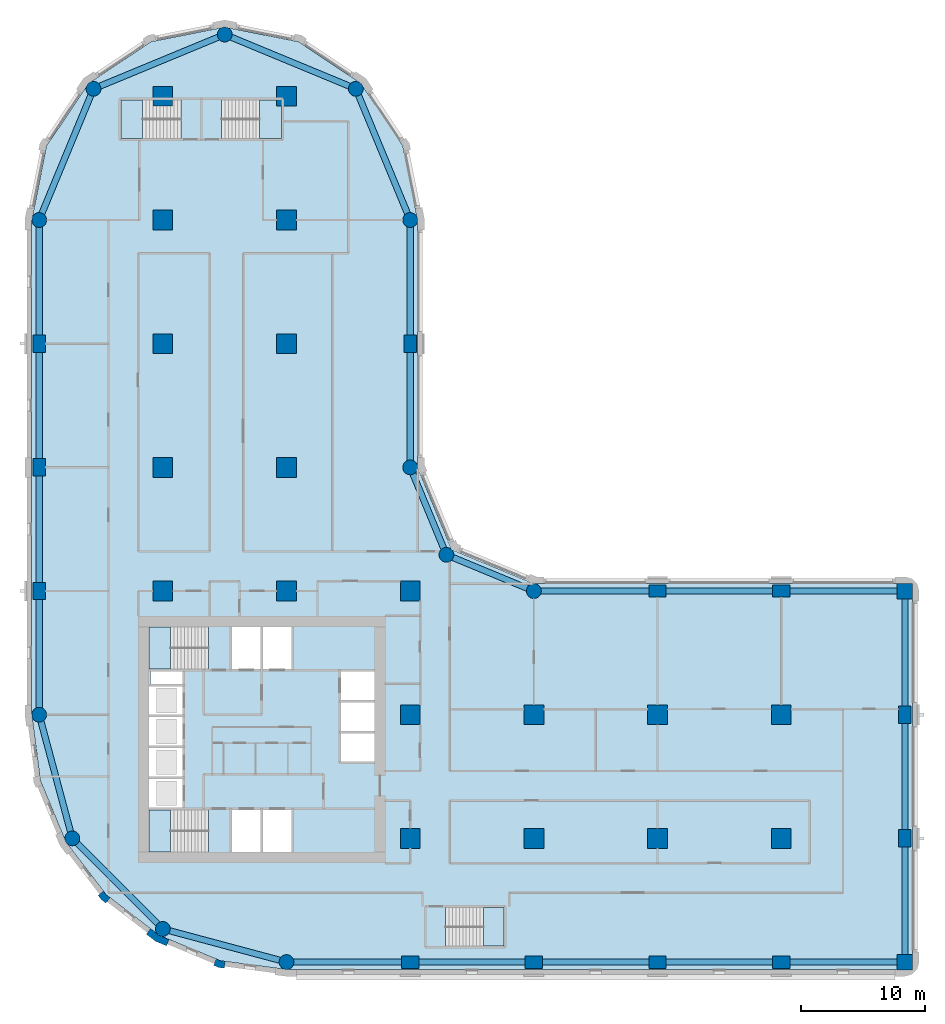
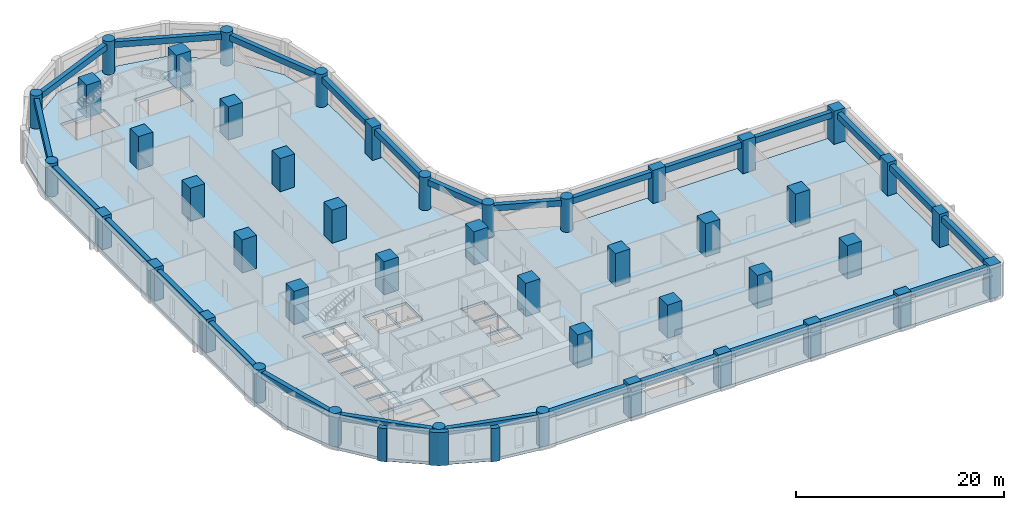
# One storey, part 1 of 10: 45 columns, 26 beams, 6 slabs, 3 walls, 5 elements without a shape of their own.
"""IFC4 building model written with IfcOpenShell, lengths in metres."""

from ifc_helpers import new_model, si_unit, direction, frame, origin, origin_2d, place, context, subcontext, project, spatial, polyline, rectangle, circle, outline, extrude, material, layer, layer_set, material_profile, profile_set, type_object, element, aggregate, save


model = new_model("IFC4")

# Units and contexts
model_context = context("Model", 3, precision=1e-05, world=origin(), true_north=direction((0.0, 1.0)))
body_context = subcontext(model_context, "Body", "Model", "MODEL_VIEW")
ifc_project = project(units=[si_unit("LENGTHUNIT", "METRE"), si_unit("AREAUNIT", "SQUARE_METRE"), si_unit("VOLUMEUNIT", "CUBIC_METRE"), si_unit("PLANEANGLEUNIT", "RADIAN"), si_unit("MASSUNIT", "GRAM", prefix="KILO")], contexts=[model_context])

# Site, building, storey
site_placement = place(None, origin())
site = spatial("IfcSite", under=ifc_project, at=site_placement, CompositionType="ELEMENT")
building_placement = place(site_placement, origin())
building = spatial("IfcBuilding", under=site, at=building_placement, Name="Qaws Garden Tower", CompositionType="ELEMENT")
storey_placement = place(building_placement, frame((0.0, 0.0, 74.39990234375)))
storey = spatial("IfcBuildingStorey", under=building, at=storey_placement, Name="L18", CompositionType="ELEMENT", Elevation=74.39990234375)

# Columns
ifc_material_1 = material(Name="Concrete C80", Category="concrete")
ifc_material_profile_1 = material_profile(ifc_material_1, rectangle(XDim=1.25, YDim=1.25, at=origin_2d()), Name="RC 1250x1250")
ifc_profile_set_1 = profile_set([ifc_material_profile_1], Name="Concrete C80")
column_type_1 = type_object("IfcColumnType", Name="Column RC 1250x1250 C80", PredefinedType="COLUMN", material=ifc_profile_set_1)
for number, where, z_axis, x_axis, name in (
    (1, (70.0, 0.0, 0.0), (0.0, 0.0, 1.0), (1.0, 0.0, 0.0), "Column L18-006"),
    (2, (70.0, 30.0, 0.0), (0.0, 0.0, 1.0), (1.0, 0.0, 0.0), "Column L18-009"),
):
    element("IfcColumn", number, at=place(storey_placement, frame(where, z_axis=z_axis, x_axis=x_axis)), inside=storey, type_object=column_type_1, Name=name, PredefinedType="COLUMN", context=body_context, shape_type="SweptSolid", body=[
        extrude(rectangle(XDim=1.25, YDim=1.25, at=origin_2d()), origin(), (0.0, 0.0, 1.0), 3.900146484375),
    ])
ifc_material_2 = material(Name="Concrete C80", Category="concrete")
ifc_material_profile_2 = material_profile(ifc_material_2, rectangle(XDim=1.39990234375, YDim=1.0, at=origin_2d()), Name="RC 1400x1000")
ifc_profile_set_2 = profile_set([ifc_material_profile_2], Name="Concrete C80")
column_type_2 = type_object("IfcColumnType", Name="Column RC 1400x1000 C80", PredefinedType="COLUMN", material=ifc_profile_set_2)
for number, where, z_axis, x_axis, name in (
    (3, (30.0, 0.0, 0.0), (0.0, 0.0, 1.0), (1.0, 0.0, 0.0), "Column L18-002"),
    (4, (40.0, 0.0, 0.0), (0.0, 0.0, 1.0), (1.0, 0.0, 0.0), "Column L18-003"),
    (5, (50.0, 0.0, 0.0), (0.0, 0.0, 1.0), (1.0, 0.0, 0.0), "Column L18-004"),
    (6, (60.0, 0.0, 0.0), (0.0, 0.0, 1.0), (1.0, 0.0, 0.0), "Column L18-005"),
    (7, (70.0, 10.0, 0.0), (0.0, 0.0, 1.0), (0.0, 1.0, 0.0), "Column L18-007"),
    (8, (70.0, 20.0, 0.0), (0.0, 0.0, 1.0), (0.0, 1.0, 0.0), "Column L18-008"),
    (9, (60.0, 30.0, 0.0), (0.0, 0.0, 1.0), (1.0, 0.0, 0.0), "Column L18-010"),
    (10, (50.0, 30.0, 0.0), (0.0, 0.0, 1.0), (1.0, 0.0, 0.0), "Column L18-011"),
    (11, (30.0, 50.0, 0.0), (0.0, 0.0, 1.0), (0.0, 1.0, 0.0), "Column L18-015"),
    (12, (0.0, 50.0, 0.0), (0.0, 0.0, 1.0), (0.0, 1.0, 0.0), "Column L18-021"),
    (13, (0.0, 40.0, 0.0), (0.0, 0.0, 1.0), (0.0, 1.0, 0.0), "Column L18-022"),
    (14, (0.0, 30.0, 0.0), (0.0, 0.0, 1.0), (0.0, 1.0, 0.0), "Column L18-023"),
):
    element("IfcColumn", number, at=place(storey_placement, frame(where, z_axis=z_axis, x_axis=x_axis)), inside=storey, type_object=column_type_2, Name=name, PredefinedType="COLUMN", context=body_context, shape_type="SweptSolid", body=[
        extrude(rectangle(XDim=1.39990234375, YDim=1.0, at=origin_2d()), origin(), (0.0, 0.0, 1.0), 3.900146484375),
    ])
ifc_material_3 = material(Name="Concrete C80", Category="concrete")
ifc_material_profile_3 = material_profile(ifc_material_3, rectangle(XDim=1.60009765625, YDim=1.60009765625, at=origin_2d()), Name="RC 1600x1600")
ifc_profile_set_3 = profile_set([ifc_material_profile_3], Name="Concrete C80")
column_type_3 = type_object("IfcColumnType", Name="Column RC 1600x1600 C80", PredefinedType="COLUMN", material=ifc_profile_set_3)
for number, where, z_axis, x_axis, name in (
    (15, (10.0, 30.0, 0.0), (0.0, 0.0, 1.0), (1.0, 0.0, 0.0), "Column L18-027"),
    (16, (10.0, 40.0, 0.0), (0.0, 0.0, 1.0), (1.0, 0.0, 0.0), "Column L18-028"),
    (17, (10.0, 50.0, 0.0), (0.0, 0.0, 1.0), (1.0, 0.0, 0.0), "Column L18-029"),
    (18, (10.0, 60.0, 0.0), (0.0, 0.0, 1.0), (1.0, 0.0, 0.0), "Column L18-030"),
    (19, (10.0, 70.0, 0.0), (0.0, 0.0, 1.0), (1.0, 0.0, 0.0), "Column L18-031"),
    (20, (20.0, 30.0, 0.0), (0.0, 0.0, 1.0), (1.0, 0.0, 0.0), "Column L18-032"),
    (21, (20.0, 40.0, 0.0), (0.0, 0.0, 1.0), (1.0, 0.0, 0.0), "Column L18-033"),
    (22, (20.0, 50.0, 0.0), (0.0, 0.0, 1.0), (1.0, 0.0, 0.0), "Column L18-034"),
    (23, (20.0, 60.0, 0.0), (0.0, 0.0, 1.0), (1.0, 0.0, 0.0), "Column L18-035"),
    (24, (20.0, 70.0, 0.0), (0.0, 0.0, 1.0), (1.0, 0.0, 0.0), "Column L18-036"),
    (25, (30.0, 10.0, 0.0), (0.0, 0.0, 1.0), (1.0, 0.0, 0.0), "Column L18-037"),
    (26, (30.0, 20.0, 0.0), (0.0, 0.0, 1.0), (1.0, 0.0, 0.0), "Column L18-038"),
    (27, (30.0, 30.0, 0.0), (0.0, 0.0, 1.0), (1.0, 0.0, 0.0), "Column L18-039"),
    (28, (40.0, 10.0, 0.0), (0.0, 0.0, 1.0), (1.0, 0.0, 0.0), "Column L18-040"),
    (29, (40.0, 20.0, 0.0), (0.0, 0.0, 1.0), (1.0, 0.0, 0.0), "Column L18-041"),
    (30, (50.0, 10.0, 0.0), (0.0, 0.0, 1.0), (1.0, 0.0, 0.0), "Column L18-042"),
    (31, (50.0, 20.0, 0.0), (0.0, 0.0, 1.0), (1.0, 0.0, 0.0), "Column L18-043"),
    (32, (60.0, 10.0, 0.0), (0.0, 0.0, 1.0), (1.0, 0.0, 0.0), "Column L18-044"),
    (33, (60.0, 20.0, 0.0), (0.0, 0.0, 1.0), (1.0, 0.0, 0.0), "Column L18-045"),
):
    element("IfcColumn", number, at=place(storey_placement, frame(where, z_axis=z_axis, x_axis=x_axis)), inside=storey, type_object=column_type_3, Name=name, PredefinedType="COLUMN", context=body_context, shape_type="SweptSolid", body=[
        extrude(rectangle(XDim=1.60009765625, YDim=1.60009765625, at=origin_2d()), origin(), (0.0, 0.0, 1.0), 3.900146484375),
    ])
ifc_material_4 = material(Name="Concrete C80", Category="concrete")
ifc_material_profile_4 = material_profile(ifc_material_4, circle(Radius=0.60009765625, at=origin_2d()), Name="RC D1200")
ifc_profile_set_4 = profile_set([ifc_material_profile_4], Name="Concrete C80")
column_type_4 = type_object("IfcColumnType", Name="Column RC D1200 C80", PredefinedType="COLUMN", material=ifc_profile_set_4)
for number, where, z_axis, x_axis, name in (
    (34, (20.0, 0.0, 0.0), (0.0, 0.0, 1.0), (1.0, 0.0, 0.0), "Column L18-001"),
    (35, (40.0, 30.0, 0.0), (0.0, 0.0, 1.0), (1.0, 0.0, 0.0), "Column L18-012"),
    (36, (32.928955078125, 32.928955078125, 0.0), (0.0, 0.0, 1.0), (1.0, 0.0, 0.0), "Column L18-013"),
    (37, (30.0, 40.0, 0.0), (0.0, 0.0, 1.0), (1.0, 0.0, 0.0), "Column L18-014"),
    (38, (30.0, 60.0, 0.0), (0.0, 0.0, 1.0), (1.0, 0.0, 0.0), "Column L18-016"),
    (39, (25.606689453125, 70.606689453125, 0.0), (0.0, 0.0, 1.0), (1.0, 0.0, 0.0), "Column L18-017"),
    (40, (15.0, 75.0, 0.0), (0.0, 0.0, 1.0), (1.0, 0.0, 0.0), "Column L18-018"),
    (41, (4.393310546875, 70.606689453125, 0.0), (0.0, 0.0, 1.0), (1.0, 0.0, 0.0), "Column L18-019"),
    (42, (0.0, 60.0, 0.0), (0.0, 0.0, 1.0), (1.0, 0.0, 0.0), "Column L18-020"),
    (43, (0.0, 20.0, 0.0), (0.0, 0.0, 1.0), (1.0, 0.0, 0.0), "Column L18-024"),
    (44, (2.679443359375, 10.0, 0.0), (0.0, 0.0, 1.0), (1.0, 0.0, 0.0), "Column L18-025"),
    (45, (10.0, 2.679443359375, 0.0), (0.0, 0.0, 1.0), (1.0, 0.0, 0.0), "Column L18-026"),
):
    element("IfcColumn", number, at=place(storey_placement, frame(where, z_axis=z_axis, x_axis=x_axis)), inside=storey, type_object=column_type_4, Name=name, PredefinedType="COLUMN", context=body_context, shape_type="SweptSolid", body=[
        extrude(circle(Radius=0.60009765625, at=origin_2d()), origin(), (0.0, 0.0, 1.0), 3.900146484375),
    ])

# Beams
ifc_material_5 = material(Name="Concrete C45", Category="concrete")
ifc_material_profile_5 = material_profile(ifc_material_5, rectangle(XDim=0.5, YDim=0.699951171875, at=origin_2d()), Name="RC 500x700")
ifc_profile_set_5 = profile_set([ifc_material_profile_5], Name="Concrete C45")
beam_type = type_object("IfcBeamType", Name="Spandrel beam RC 500x700 C45", PredefinedType="SPANDREL", material=ifc_profile_set_5)
for number, where, z_axis, x_axis, name in (
    (46, (20.0, 0.0, 3.22998046875), (1.0, 0.0, 0.0), (0.0, 1.0, 0.0), "Spandrel beam L18-001"),
    (47, (30.0, 0.0, 3.22998046875), (1.0, 0.0, 0.0), (0.0, 1.0, 0.0), "Spandrel beam L18-002"),
    (48, (40.0, 0.0, 3.22998046875), (1.0, 0.0, 0.0), (0.0, 1.0, 0.0), "Spandrel beam L18-003"),
    (49, (50.0, 0.0, 3.22998046875), (1.0, 0.0, 0.0), (0.0, 1.0, 0.0), "Spandrel beam L18-004"),
    (50, (60.0, 0.0, 3.22998046875), (1.0, 0.0, 0.0), (0.0, 1.0, 0.0), "Spandrel beam L18-005"),
    (51, (70.0, 0.0, 3.22998046875), (0.0, 1.0, 0.0), (-1.0, 0.0, 0.0), "Spandrel beam L18-006"),
    (52, (70.0, 10.0, 3.22998046875), (0.0, 1.0, 0.0), (-1.0, 0.0, 0.0), "Spandrel beam L18-007"),
    (53, (70.0, 20.0, 3.22998046875), (0.0, 1.0, 0.0), (-1.0, 0.0, 0.0), "Spandrel beam L18-008"),
    (54, (70.0, 30.0, 3.22998046875), (-1.0, 0.0, 0.0), (0.0, -1.0, 0.0), "Spandrel beam L18-009"),
    (55, (60.0, 30.0, 3.22998046875), (-1.0, 0.0, 0.0), (0.0, -1.0, 0.0), "Spandrel beam L18-010"),
    (56, (50.0, 30.0, 3.22998046875), (-1.0, 0.0, 0.0), (0.0, -1.0, 0.0), "Spandrel beam L18-011"),
):
    element("IfcBeam", number, at=place(storey_placement, frame(where, z_axis=z_axis, x_axis=x_axis)), inside=storey, type_object=beam_type, Name=name, PredefinedType="SPANDREL", context=body_context, shape_type="SweptSolid", body=[
        extrude(rectangle(XDim=0.5, YDim=0.699951171875, at=origin_2d()), origin(), (0.0, 0.0, 1.0), 10.0),
    ])
for number, where, z_axis, x_axis, name in (
    (57, (40.0, 30.0, 3.22998046875), (-0.923878037141, 0.382687042488, 0.0), (-0.382687042488, -0.923878037141, 0.0), "Spandrel beam L18-012"),
    (58, (32.928955078125, 32.928955078125, 3.22998046875), (-0.382687042488, 0.923878037141, 0.0), (-0.923878037141, -0.382687042488, 0.0), "Spandrel beam L18-013"),
):
    element("IfcBeam", number, at=place(storey_placement, frame(where, z_axis=z_axis, x_axis=x_axis)), inside=storey, type_object=beam_type, Name=name, PredefinedType="SPANDREL", context=body_context, shape_type="SweptSolid", body=[
        extrude(rectangle(XDim=0.5, YDim=0.699951171875, at=origin_2d()), origin(), (0.0, 0.0, 1.0), 7.653564453125),
    ])
for number, where, z_axis, x_axis, name in (
    (59, (30.0, 40.0, 3.22998046875), (0.0, 1.0, 0.0), (-1.0, 0.0, 0.0), "Spandrel beam L18-014"),
    (60, (30.0, 50.0, 3.22998046875), (0.0, 1.0, 0.0), (-1.0, 0.0, 0.0), "Spandrel beam L18-015"),
):
    element("IfcBeam", number, at=place(storey_placement, frame(where, z_axis=z_axis, x_axis=x_axis)), inside=storey, type_object=beam_type, Name=name, PredefinedType="SPANDREL", context=body_context, shape_type="SweptSolid", body=[
        extrude(rectangle(XDim=0.5, YDim=0.699951171875, at=origin_2d()), origin(), (0.0, 0.0, 1.0), 10.0),
    ])
for number, where, z_axis, x_axis, name in (
    (61, (30.0, 60.0, 3.22998046875), (-0.382674207535, 0.923883353507, 0.0), (-0.923883353507, -0.382674207535, 0.0), "Spandrel beam L18-016"),
    (62, (25.606689453125, 70.606689453125, 3.22998046875), (-0.923883353507, 0.382674207535, 0.0), (-0.382674207535, -0.923883353507, 0.0), "Spandrel beam L18-017"),
    (63, (15.0, 75.0, 3.22998046875), (-0.923883353507, -0.382674207535, 0.0), (0.382674207535, -0.923883353507, 0.0), "Spandrel beam L18-018"),
    (64, (4.393310546875, 70.606689453125, 3.22998046875), (-0.382674207535, -0.923883353507, 0.0), (0.923883353507, -0.382674207535, 0.0), "Spandrel beam L18-019"),
):
    element("IfcBeam", number, at=place(storey_placement, frame(where, z_axis=z_axis, x_axis=x_axis)), inside=storey, type_object=beam_type, Name=name, PredefinedType="SPANDREL", context=body_context, shape_type="SweptSolid", body=[
        extrude(rectangle(XDim=0.5, YDim=0.699951171875, at=origin_2d()), origin(), (0.0, 0.0, 1.0), 11.48046875),
    ])
for number, where, z_axis, x_axis, name in (
    (65, (0.0, 60.0, 3.22998046875), (0.0, -1.0, 0.0), (1.0, 0.0, 0.0), "Spandrel beam L18-020"),
    (66, (0.0, 50.0, 3.22998046875), (0.0, -1.0, 0.0), (1.0, 0.0, 0.0), "Spandrel beam L18-021"),
    (67, (0.0, 40.0, 3.22998046875), (0.0, -1.0, 0.0), (1.0, 0.0, 0.0), "Spandrel beam L18-022"),
    (68, (0.0, 30.0, 3.22998046875), (0.0, -1.0, 0.0), (1.0, 0.0, 0.0), "Spandrel beam L18-023"),
):
    element("IfcBeam", number, at=place(storey_placement, frame(where, z_axis=z_axis, x_axis=x_axis)), inside=storey, type_object=beam_type, Name=name, PredefinedType="SPANDREL", context=body_context, shape_type="SweptSolid", body=[
        extrude(rectangle(XDim=0.5, YDim=0.699951171875, at=origin_2d()), origin(), (0.0, 0.0, 1.0), 10.0),
    ])
for number, where, z_axis, x_axis, name in (
    (69, (0.0, 20.0, 3.22998046875), (0.25881466832, -0.965926999034, 0.0), (0.965926999034, 0.25881466832, 0.0), "Spandrel beam L18-024"),
    (70, (2.679443359375, 10.0, 3.22998046875), (0.707106781187, -0.707106781187, 0.0), (0.707106781187, 0.707106781187, 0.0), "Spandrel beam L18-025"),
    (71, (10.0, 2.679443359375, 3.22998046875), (0.965926999034, -0.25881466832, 0.0), (0.25881466832, 0.965926999034, 0.0), "Spandrel beam L18-026"),
):
    element("IfcBeam", number, at=place(storey_placement, frame(where, z_axis=z_axis, x_axis=x_axis)), inside=storey, type_object=beam_type, Name=name, PredefinedType="SPANDREL", context=body_context, shape_type="SweptSolid", body=[
        extrude(rectangle(XDim=0.5, YDim=0.699951171875, at=origin_2d()), origin(), (0.0, 0.0, 1.0), 10.352783203125),
    ])

# Slab
ifc_material_6 = material(Name="Concrete C40", Category="concrete")
ifc_layer_1 = layer(ifc_material_6, 0.320068359375)
ifc_layer_set_1 = layer_set([ifc_layer_1], Name="Concrete C40")
slab_type_1 = type_object("IfcSlabType", Name="Floor slab 320 C40", PredefinedType="FLOOR", material=ifc_layer_set_1)
slab_1_placement = place(storey_placement, frame((0.0, 0.0, -0.31982421875)))
element("IfcSlab", 72, at=slab_1_placement, inside=storey, type_object=slab_type_1, Name="Floor slab L18", PredefinedType="FLOOR", context=body_context, shape_type="SweptSolid", body=[
    extrude(outline(polyline([(0.101806640625, 14.668212890625), (-0.60009765625, 20.0), (-0.60009765625, 30.60009765625), (-0.60009765625, 60.0), (-0.60009765625, 60.0), (0.58740234375, 65.969970703125), (3.968994140625, 71.031005859375), (9.030029296875, 74.41259765625), (15.0, 75.60009765625), (20.969970703125, 74.41259765625), (26.031005859375, 71.031005859375), (29.41259765625, 65.969970703125), (30.60009765625, 60.0), (30.60009765625, 40.0), (33.353271484375, 33.353271484375), (40.0, 30.60009765625), (70.0, 30.60009765625), (70.42431640625, 30.42431640625), (70.60009765625, 30.0), (70.60009765625, 0.0), (70.42431640625, -0.42431640625), (70.0, -0.60009765625), (30.60009765625, -0.60009765625), (20.0, -0.60009765625), (14.668212890625, 0.101806640625), (9.699951171875, 2.159912109375), (5.43359375, 5.43359375), (2.159912109375, 9.699951171875), (0.101806640625, 14.668212890625)]), holes=[polyline([(13.699462890625, 12.300048828125), (8.89990234375, 12.300048828125), (8.89990234375, 8.89990234375), (13.699462890625, 8.89990234375), (13.699462890625, 12.300048828125)]), polyline([(17.89990234375, 12.300048828125), (15.60009765625, 12.300048828125), (15.60009765625, 8.89990234375), (17.89990234375, 8.89990234375), (17.89990234375, 12.300048828125)]), polyline([(11.60009765625, 14.800048828125), (8.89990234375, 14.800048828125), (8.89990234375, 12.5), (11.60009765625, 12.5), (11.60009765625, 14.800048828125)]), polyline([(11.60009765625, 17.300048828125), (8.89990234375, 17.300048828125), (8.89990234375, 15.0), (11.60009765625, 15.0), (11.60009765625, 17.300048828125)]), polyline([(11.60009765625, 19.800048828125), (8.89990234375, 19.800048828125), (8.89990234375, 17.5), (11.60009765625, 17.5), (11.60009765625, 19.800048828125)]), polyline([(11.60009765625, 22.300048828125), (8.89990234375, 22.300048828125), (8.89990234375, 20.0), (11.60009765625, 20.0), (11.60009765625, 22.300048828125)]), polyline([(11.60009765625, 23.5), (9.0, 23.5), (9.0, 22.5), (11.60009765625, 22.5), (11.60009765625, 23.5)]), polyline([(13.699462890625, 27.10009765625), (8.89990234375, 27.10009765625), (8.89990234375, 23.699951171875), (13.699462890625, 23.699951171875), (13.699462890625, 27.10009765625)]), polyline([(11.449462890625, 69.699951171875), (6.60009765625, 69.699951171875), (6.60009765625, 66.60009765625), (11.449462890625, 66.60009765625), (11.449462890625, 69.699951171875)]), polyline([(37.60009765625, 4.39990234375), (32.8505859375, 4.39990234375), (32.8505859375, 1.300048828125), (37.60009765625, 1.300048828125), (37.60009765625, 4.39990234375)]), polyline([(20.39990234375, 12.300048828125), (18.10009765625, 12.300048828125), (18.10009765625, 8.89990234375), (20.39990234375, 8.89990234375), (20.39990234375, 12.300048828125)]), polyline([(27.10009765625, 18.5), (24.39990234375, 18.5), (24.39990234375, 16.199951171875), (27.10009765625, 16.199951171875), (27.10009765625, 18.5)]), polyline([(27.10009765625, 21.0), (24.39990234375, 21.0), (24.39990234375, 18.699951171875), (27.10009765625, 18.699951171875), (27.10009765625, 21.0)]), polyline([(27.10009765625, 23.5), (24.39990234375, 23.5), (24.39990234375, 21.199951171875), (27.10009765625, 21.199951171875), (27.10009765625, 23.5)]), polyline([(17.89990234375, 27.10009765625), (15.60009765625, 27.10009765625), (15.60009765625, 23.699951171875), (17.89990234375, 23.699951171875), (17.89990234375, 27.10009765625)]), polyline([(20.39990234375, 23.699951171875), (20.39990234375, 27.10009765625), (18.10009765625, 27.10009765625), (18.10009765625, 23.699951171875), (20.39990234375, 23.699951171875)]), polyline([(19.60009765625, 66.60009765625), (19.60009765625, 69.699951171875), (14.75048828125, 69.699951171875), (14.75048828125, 66.60009765625), (19.60009765625, 66.60009765625)])]), origin(), (0.0, 0.0, 1.0), 0.31982421875),
])

# Stair, slab
ifc_material_7 = material(Name="Concrete C40", Category="concrete")
stair_type_1 = type_object("IfcStairType", Name="Exit stair 1500", PredefinedType="HALF_TURN_STAIR", material=ifc_material_7)
placement_1 = place(storey_placement, origin())
stair_1 = element("IfcStair", 73, at=placement_1, inside=storey, type_object=stair_type_1, Name="Stair 1", PredefinedType="HALF_TURN_STAIR")
ifc_material_8 = material(Name="Concrete C40", Category="concrete")
ifc_layer_2 = layer(ifc_material_8, 0.199951171875)
ifc_layer_set_2 = layer_set([ifc_layer_2], Name="Concrete C40")
slab_type_2 = type_object("IfcSlabType", Name="Stair landing 200", PredefinedType="LANDING", material=ifc_layer_set_2)
placement_2 = place(storey_placement, frame((0.0, 0.0, 1.75)))
slab_2 = element("IfcSlab", 74, at=placement_2, type_object=slab_type_2, Name="ST1 landing 1", PredefinedType="LANDING", context=body_context, shape_type="SweptSolid", body=[
    extrude(outline(polyline([(8.89990234375, 8.89990234375), (10.6201171875, 8.89990234375), (10.6201171875, 12.300048828125), (8.89990234375, 12.300048828125), (8.89990234375, 8.89990234375)])), origin(), (0.0, 0.0, 1.0), 0.2001953125),
])
aggregate(stair_1, [slab_2])

stair_2 = element("IfcStair", 75, at=placement_1, inside=storey, type_object=stair_type_1, Name="Stair 4", PredefinedType="HALF_TURN_STAIR")
slab_3 = element("IfcSlab", 76, at=placement_2, type_object=slab_type_2, Name="ST4 landing 1", PredefinedType="LANDING", context=body_context, shape_type="SweptSolid", body=[
    extrude(outline(polyline([(8.89990234375, 23.699951171875), (10.6201171875, 23.699951171875), (10.6201171875, 27.10009765625), (8.89990234375, 27.10009765625), (8.89990234375, 23.699951171875)])), origin(), (0.0, 0.0, 1.0), 0.2001953125),
])
aggregate(stair_2, [slab_3])

ifc_material_9 = material(Name="Concrete C40", Category="concrete")
stair_type_2 = type_object("IfcStairType", Name="Exit stair 1350", PredefinedType="HALF_TURN_STAIR", material=ifc_material_9)
stair_3 = element("IfcStair", 77, at=placement_1, inside=storey, type_object=stair_type_2, Name="Stair 5", PredefinedType="HALF_TURN_STAIR")
slab_4 = element("IfcSlab", 78, at=placement_2, type_object=slab_type_2, Name="ST5 landing 1", PredefinedType="LANDING", context=body_context, shape_type="SweptSolid", body=[
    extrude(outline(polyline([(35.929931640625, 1.300048828125), (37.60009765625, 1.300048828125), (37.60009765625, 4.39990234375), (35.929931640625, 4.39990234375), (35.929931640625, 1.300048828125)])), origin(), (0.0, 0.0, 1.0), 0.2001953125),
])
aggregate(stair_3, [slab_4])

stair_4 = element("IfcStair", 79, at=placement_1, inside=storey, type_object=stair_type_2, Name="Stair 6", PredefinedType="HALF_TURN_STAIR")
slab_5 = element("IfcSlab", 80, at=placement_2, type_object=slab_type_2, Name="ST6 landing 1", PredefinedType="LANDING", context=body_context, shape_type="SweptSolid", body=[
    extrude(outline(polyline([(6.60009765625, 66.60009765625), (8.3701171875, 66.60009765625), (8.3701171875, 69.699951171875), (6.60009765625, 69.699951171875), (6.60009765625, 66.60009765625)])), origin(), (0.0, 0.0, 1.0), 0.2001953125),
])
aggregate(stair_4, [slab_5])

stair_5 = element("IfcStair", 81, at=placement_1, inside=storey, type_object=stair_type_2, Name="Stair 7", PredefinedType="HALF_TURN_STAIR")
slab_6 = element("IfcSlab", 82, at=placement_2, type_object=slab_type_2, Name="ST7 landing 1", PredefinedType="LANDING", context=body_context, shape_type="SweptSolid", body=[
    extrude(outline(polyline([(17.830078125, 66.60009765625), (19.60009765625, 66.60009765625), (19.60009765625, 69.699951171875), (17.830078125, 69.699951171875), (17.830078125, 66.60009765625)])), origin(), (0.0, 0.0, 1.0), 0.2001953125),
])
aggregate(stair_5, [slab_6])

# Walls
ifc_material_10 = material(Name="Clay facing brick masonry", Category="masonry")
ifc_layer_3 = layer(ifc_material_10, 0.550048828125)
ifc_layer_set_3 = layer_set([ifc_layer_3], Name="Clay facing brick masonry")
wall_type_1 = type_object("IfcWallType", Name="Brick kink pier 550 x 600", PredefinedType="SOLIDWALL", material=ifc_layer_set_3)
element("IfcWall", 83, at=placement_1, inside=storey, type_object=wall_type_1, Name="E-L18-pier-30", PredefinedType="SOLIDWALL", context=body_context, shape_type="SweptSolid", body=[
    extrude(outline(polyline([(4.8818359375, 5.487060546875), (4.762939453125, 5.395751953125), (5.03759765625, 5.03759765625), (5.395751953125, 4.762939453125), (5.487060546875, 4.8818359375), (5.730712890625, 5.19921875), (5.429931640625, 5.429931640625), (5.19921875, 5.730712890625), (4.8818359375, 5.487060546875)])), origin(), (0.0, 0.0, 1.0), 3.900146484375),
])
element("IfcWall", 84, at=placement_1, inside=storey, type_object=wall_type_1, Name="E-L18-pier-32", PredefinedType="SOLIDWALL", context=body_context, shape_type="SweptSolid", body=[
    extrude(outline(polyline([(14.163818359375, -0.127685546875), (14.1064453125, -0.26611328125), (14.5234375, -0.43896484375), (14.970947265625, -0.497802734375), (14.990478515625, -0.34912109375), (15.042724609375, 0.04736328125), (14.6669921875, 0.096923828125), (14.31689453125, 0.241943359375), (14.163818359375, -0.127685546875)])), origin(), (0.0, 0.0, 1.0), 3.900146484375),
])
ifc_material_11 = material(Name="Clay facing brick masonry", Category="masonry")
ifc_layer_4 = layer(ifc_material_11, 0.550048828125)
ifc_layer_set_4 = layer_set([ifc_layer_4], Name="Clay facing brick masonry")
wall_type_2 = type_object("IfcWallType", Name="Brick pier 550 x 1600", PredefinedType="SOLIDWALL", material=ifc_layer_set_4)
element("IfcWall", 85, at=placement_1, inside=storey, type_object=wall_type_2, Name="E-L18-pier-31", PredefinedType="SOLIDWALL", context=body_context, shape_type="SweptSolid", body=[
    extrude(outline(polyline([(8.756591796875, 2.373046875), (8.665283203125, 2.254150390625), (9.419921875, 1.675048828125), (10.299072265625, 1.310791015625), (10.3564453125, 1.449462890625), (10.509521484375, 1.819091796875), (9.697509765625, 2.1552734375), (9.0, 2.6904296875), (8.756591796875, 2.373046875)])), origin(), (0.0, 0.0, 1.0), 3.900146484375),
])

save(model, "model.ifc")
